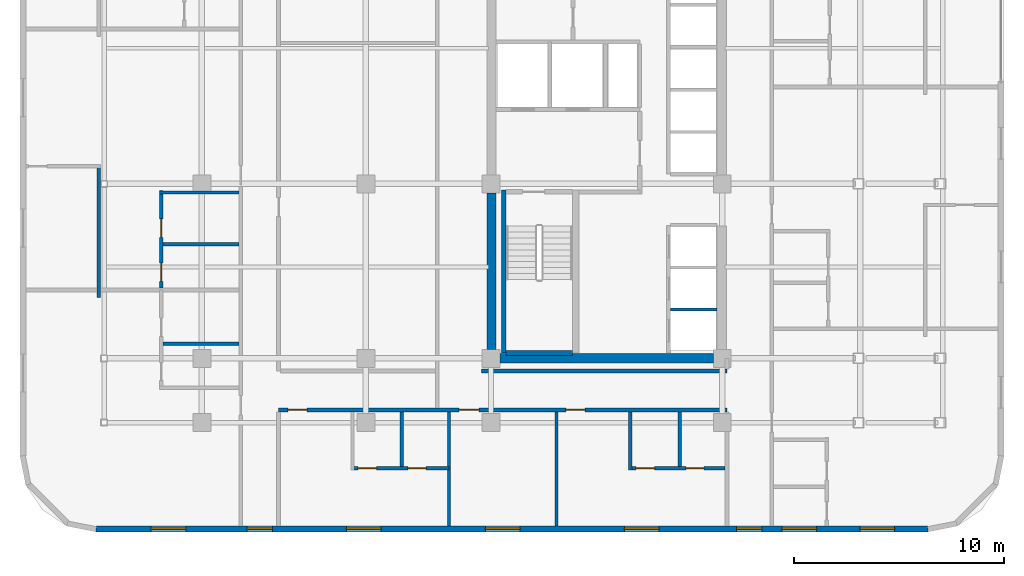
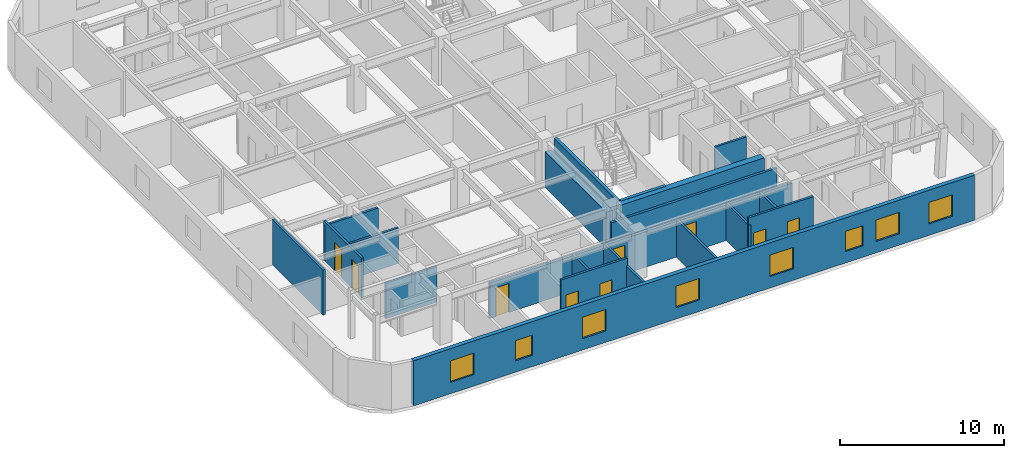
# One storey, part 7 of 13: 20 walls, 9 doors, 8 windows, 17 openings.
"""IFC4 building model written with IfcOpenShell, lengths in metres."""

from ifc_helpers import new_model, si_unit, direction, frame, frame_2d, origin, place, context, subcontext, project, spatial, rectangle, extrude, material, layer, layer_set, type_object, element, fill, save


model = new_model("IFC4")

# Units and contexts
model_context = context("Model", 3, precision=1e-05, world=origin(), true_north=direction((0.0, 1.0)))
body_context = subcontext(model_context, "Body", "Model", "MODEL_VIEW")
ifc_project = project(units=[si_unit("LENGTHUNIT", "METRE"), si_unit("AREAUNIT", "SQUARE_METRE"), si_unit("VOLUMEUNIT", "CUBIC_METRE"), si_unit("PLANEANGLEUNIT", "RADIAN"), si_unit("MASSUNIT", "GRAM", prefix="KILO")], contexts=[model_context])

# Site, building, storey
site_placement = place(None, origin())
site = spatial("IfcSite", under=ifc_project, at=site_placement, CompositionType="ELEMENT")
building_placement = place(site_placement, origin())
building = spatial("IfcBuilding", under=site, at=building_placement, Name="Ochreholt Gables", CompositionType="ELEMENT")
storey_placement = place(building_placement, frame((0.0, 0.0, 49.199951171875)))
storey = spatial("IfcBuildingStorey", under=building, at=storey_placement, Name="L12", CompositionType="ELEMENT", Elevation=49.199951171875)

# Walls
ifc_material_1 = material(Name="Concrete 60 MPa", Category="concrete")
ifc_layer_1 = layer(ifc_material_1, 0.449951171875, Name="Concrete 60 MPa")
ifc_layer_set_1 = layer_set([ifc_layer_1], Name="Concrete 60 MPa")
wall_type_1 = type_object("IfcWallType", Name="WALL-CSW-450", PredefinedType="SHEAR", material=ifc_layer_set_1)
wall_1_placement = place(storey_placement, frame((24.22509765625, 9.675048828125, 0.0), z_axis=(0.0, 0.0, 1.0), x_axis=(0.0, 1.0, 0.0)))
element("IfcWall", 1, at=wall_1_placement, inside=storey, type_object=wall_type_1, Name="L12 Core West Shear Wall WS", PredefinedType="SHEAR", context=body_context, shape_type="SweptSolid", body=[
    extrude(rectangle(XDim=7.449951171875, YDim=0.449951171875, at=frame_2d((3.72509765625, 0.0))), origin(), (0.0, 0.0, 1.0), 2.6669921875),
])
wall_2_placement = place(storey_placement, frame((24.625, 9.25, 0.0), z_axis=(0.0, 0.0, 1.0), x_axis=(1.0, 0.0, 0.0)))
element("IfcWall", 2, at=wall_2_placement, inside=storey, type_object=wall_type_1, Name="L12 Core South Shear Wall", PredefinedType="SHEAR", context=body_context, shape_type="SweptSolid", body=[
    extrude(rectangle(XDim=10.14990234375, YDim=0.449951171875, at=frame_2d((5.074951171875, 0.0))), origin(), (0.0, 0.0, 1.0), 3.360107421875),
])

# Wall, openings, windows
ifc_material_2 = material(Name="Precast concrete 40 MPa", Category="concrete")
ifc_layer_2 = layer(ifc_material_2, 0.2900390625, Name="Precast concrete 40 MPa")
ifc_layer_set_2 = layer_set([ifc_layer_2], Name="Precast concrete 40 MPa")
wall_type_2 = type_object("IfcWallType", Name="WALL-EXT-290", PredefinedType="SOLIDWALL", material=ifc_layer_set_2)
wall_3_placement = place(storey_placement, frame((5.419921875, 1.14501953125, 0.0), z_axis=(0.0, 0.0, 1.0), x_axis=(1.0, 0.0, 0.0)))
wall_3 = element("IfcWall", 3, at=wall_3_placement, inside=storey, type_object=wall_type_2, Name="L12 South Exterior Wall", PredefinedType="SOLIDWALL", context=body_context, shape_type="SweptSolid", body=[
    extrude(rectangle(XDim=39.56005859375, YDim=0.2900390625, at=frame_2d((19.780029296875, 0.0))), origin(), (0.0, 0.0, 1.0), 3.360107421875),
])
opening_1_placement = place(wall_3_placement, frame((2.614990234375, 0.0, 0.85009765625)))
opening_1 = element("IfcOpeningElement", 4, at=opening_1_placement, cuts=wall_3, Name="Opening WN-7", PredefinedType="OPENING", context=body_context, shape_type="SweptSolid", body=[
    extrude(rectangle(XDim=1.64990234375, YDim=1.60009765625, at=frame_2d((0.824951171875, 0.800048828125))), frame((0.0, 0.155029296875, 0.0), z_axis=(0.0, -1.0, 0.0), x_axis=(1.0, 0.0, 0.0)), (0.0, 0.0, 1.0), 0.31005859375),
])
opening_2_placement = place(wall_3_placement, frame((7.179931640625, 0.0, 0.85009765625)))
opening_2 = element("IfcOpeningElement", 5, at=opening_2_placement, cuts=wall_3, Name="Opening WN-3", PredefinedType="OPENING", context=body_context, shape_type="SweptSolid", body=[
    extrude(rectangle(XDim=1.199951171875, YDim=1.5, at=frame_2d((0.60009765625, 0.75))), frame((0.0, 0.155029296875, 0.0), z_axis=(0.0, -1.0, 0.0), x_axis=(1.0, 0.0, 0.0)), (0.0, 0.0, 1.0), 0.31005859375),
])
opening_3_placement = place(wall_3_placement, frame((11.90576171875, 0.0, 0.85009765625)))
opening_3 = element("IfcOpeningElement", 6, at=opening_3_placement, cuts=wall_3, Name="Opening WN-7", PredefinedType="OPENING", context=body_context, shape_type="SweptSolid", body=[
    extrude(rectangle(XDim=1.64990234375, YDim=1.60009765625, at=frame_2d((0.824951171875, 0.800048828125))), frame((0.0, 0.155029296875, 0.0), z_axis=(0.0, -1.0, 0.0), x_axis=(1.0, 0.0, 0.0)), (0.0, 0.0, 1.0), 0.31005859375),
])
opening_4_placement = place(wall_3_placement, frame((18.514892578125, 0.0, 0.85009765625)))
opening_4 = element("IfcOpeningElement", 7, at=opening_4_placement, cuts=wall_3, Name="Opening WN-7", PredefinedType="OPENING", context=body_context, shape_type="SweptSolid", body=[
    extrude(rectangle(XDim=1.64990234375, YDim=1.60009765625, at=frame_2d((0.824951171875, 0.800048828125))), frame((0.0, 0.155029296875, 0.0), z_axis=(0.0, -1.0, 0.0), x_axis=(1.0, 0.0, 0.0)), (0.0, 0.0, 1.0), 0.31005859375),
])
opening_5_placement = place(wall_3_placement, frame((25.124267578125, 0.0, 0.85009765625)))
opening_5 = element("IfcOpeningElement", 8, at=opening_5_placement, cuts=wall_3, Name="Opening WN-7", PredefinedType="OPENING", context=body_context, shape_type="SweptSolid", body=[
    extrude(rectangle(XDim=1.64990234375, YDim=1.60009765625, at=frame_2d((0.824951171875, 0.800048828125))), frame((0.0, 0.155029296875, 0.0), z_axis=(0.0, -1.0, 0.0), x_axis=(1.0, 0.0, 0.0)), (0.0, 0.0, 1.0), 0.31005859375),
])
opening_6_placement = place(wall_3_placement, frame((30.465087890625, 0.0, 0.85009765625)))
opening_6 = element("IfcOpeningElement", 9, at=opening_6_placement, cuts=wall_3, Name="Opening WN-3", PredefinedType="OPENING", context=body_context, shape_type="SweptSolid", body=[
    extrude(rectangle(XDim=1.199951171875, YDim=1.5, at=frame_2d((0.60009765625, 0.75))), frame((0.0, 0.155029296875, 0.0), z_axis=(0.0, -1.0, 0.0), x_axis=(1.0, 0.0, 0.0)), (0.0, 0.0, 1.0), 0.31005859375),
])
opening_7_placement = place(wall_3_placement, frame((32.613037109375, 0.0, 0.85009765625)))
opening_7 = element("IfcOpeningElement", 10, at=opening_7_placement, cuts=wall_3, Name="Opening WN-7", PredefinedType="OPENING", context=body_context, shape_type="SweptSolid", body=[
    extrude(rectangle(XDim=1.64990234375, YDim=1.60009765625, at=frame_2d((0.824951171875, 0.800048828125))), frame((0.0, 0.155029296875, 0.0), z_axis=(0.0, -1.0, 0.0), x_axis=(1.0, 0.0, 0.0)), (0.0, 0.0, 1.0), 0.31005859375),
])
opening_8_placement = place(wall_3_placement, frame((36.327880859375, 0.0, 0.85009765625)))
opening_8 = element("IfcOpeningElement", 11, at=opening_8_placement, cuts=wall_3, Name="Opening WN-7", PredefinedType="OPENING", context=body_context, shape_type="SweptSolid", body=[
    extrude(rectangle(XDim=1.64990234375, YDim=1.60009765625, at=frame_2d((0.824951171875, 0.800048828125))), frame((0.0, 0.155029296875, 0.0), z_axis=(0.0, -1.0, 0.0), x_axis=(1.0, 0.0, 0.0)), (0.0, 0.0, 1.0), 0.31005859375),
])
ifc_material_3 = material(Name="Triple-Glazed Thermally Broken Aluminium Window", Category="aluminium")
window_type_1 = type_object("IfcWindowType", Name="WIN-RES-1200", PartitioningType="SINGLE_PANEL", PredefinedType="WINDOW", material=ifc_material_3)
window_1_placement = place(opening_2_placement, origin())
window_1 = element("IfcWindow", 12, at=window_1_placement, inside=storey, type_object=window_type_1, Name="L12 Window W-EXT-S-L12-2", OverallHeight=1.5, OverallWidth=1.199951171875, PartitioningType="SINGLE_PANEL", PredefinedType="WINDOW", context=body_context, shape_type="SweptSolid", body=[
    extrude(rectangle(XDim=1.199951171875, YDim=1.5, at=frame_2d((0.60009765625, 0.75))), frame((0.0, 0.030029296875, 0.0), z_axis=(0.0, -1.0, 0.0), x_axis=(1.0, 0.0, 0.0)), (0.0, 0.0, 1.0), 0.06005859375),
])
fill(opening_2, window_1)
window_2_placement = place(opening_6_placement, origin())
window_2 = element("IfcWindow", 13, at=window_2_placement, inside=storey, type_object=window_type_1, Name="L12 Window W-EXT-S-L12-6", OverallHeight=1.5, OverallWidth=1.199951171875, PartitioningType="SINGLE_PANEL", PredefinedType="WINDOW", context=body_context, shape_type="SweptSolid", body=[
    extrude(rectangle(XDim=1.199951171875, YDim=1.5, at=frame_2d((0.60009765625, 0.75))), frame((0.0, 0.030029296875, 0.0), z_axis=(0.0, -1.0, 0.0), x_axis=(1.0, 0.0, 0.0)), (0.0, 0.0, 1.0), 0.06005859375),
])
fill(opening_6, window_2)
window_type_2 = type_object("IfcWindowType", Name="WIN-RES-1650", PartitioningType="SINGLE_PANEL", PredefinedType="WINDOW", material=ifc_material_3)
window_3_placement = place(opening_1_placement, origin())
window_3 = element("IfcWindow", 14, at=window_3_placement, inside=storey, type_object=window_type_2, Name="L12 Window W-EXT-S-L12-1", OverallHeight=1.60009765625, OverallWidth=1.64990234375, PartitioningType="SINGLE_PANEL", PredefinedType="WINDOW", context=body_context, shape_type="SweptSolid", body=[
    extrude(rectangle(XDim=1.64990234375, YDim=1.60009765625, at=frame_2d((0.824951171875, 0.800048828125))), frame((0.0, 0.030029296875, 0.0), z_axis=(0.0, -1.0, 0.0), x_axis=(1.0, 0.0, 0.0)), (0.0, 0.0, 1.0), 0.06005859375),
])
fill(opening_1, window_3)
window_4_placement = place(opening_3_placement, origin())
window_4 = element("IfcWindow", 15, at=window_4_placement, inside=storey, type_object=window_type_2, Name="L12 Window W-EXT-S-L12-3", OverallHeight=1.60009765625, OverallWidth=1.64990234375, PartitioningType="SINGLE_PANEL", PredefinedType="WINDOW", context=body_context, shape_type="SweptSolid", body=[
    extrude(rectangle(XDim=1.64990234375, YDim=1.60009765625, at=frame_2d((0.824951171875, 0.800048828125))), frame((0.0, 0.030029296875, 0.0), z_axis=(0.0, -1.0, 0.0), x_axis=(1.0, 0.0, 0.0)), (0.0, 0.0, 1.0), 0.06005859375),
])
fill(opening_3, window_4)
window_5_placement = place(opening_4_placement, origin())
window_5 = element("IfcWindow", 16, at=window_5_placement, inside=storey, type_object=window_type_2, Name="L12 Window W-EXT-S-L12-4", OverallHeight=1.60009765625, OverallWidth=1.64990234375, PartitioningType="SINGLE_PANEL", PredefinedType="WINDOW", context=body_context, shape_type="SweptSolid", body=[
    extrude(rectangle(XDim=1.64990234375, YDim=1.60009765625, at=frame_2d((0.824951171875, 0.800048828125))), frame((0.0, 0.030029296875, 0.0), z_axis=(0.0, -1.0, 0.0), x_axis=(1.0, 0.0, 0.0)), (0.0, 0.0, 1.0), 0.06005859375),
])
fill(opening_4, window_5)
window_6_placement = place(opening_5_placement, origin())
window_6 = element("IfcWindow", 17, at=window_6_placement, inside=storey, type_object=window_type_2, Name="L12 Window W-EXT-S-L12-5", OverallHeight=1.60009765625, OverallWidth=1.64990234375, PartitioningType="SINGLE_PANEL", PredefinedType="WINDOW", context=body_context, shape_type="SweptSolid", body=[
    extrude(rectangle(XDim=1.64990234375, YDim=1.60009765625, at=frame_2d((0.824951171875, 0.800048828125))), frame((0.0, 0.030029296875, 0.0), z_axis=(0.0, -1.0, 0.0), x_axis=(1.0, 0.0, 0.0)), (0.0, 0.0, 1.0), 0.06005859375),
])
fill(opening_5, window_6)
window_7_placement = place(opening_7_placement, origin())
window_7 = element("IfcWindow", 18, at=window_7_placement, inside=storey, type_object=window_type_2, Name="L12 Window W-EXT-S-L12-7", OverallHeight=1.60009765625, OverallWidth=1.64990234375, PartitioningType="SINGLE_PANEL", PredefinedType="WINDOW", context=body_context, shape_type="SweptSolid", body=[
    extrude(rectangle(XDim=1.64990234375, YDim=1.60009765625, at=frame_2d((0.824951171875, 0.800048828125))), frame((0.0, 0.030029296875, 0.0), z_axis=(0.0, -1.0, 0.0), x_axis=(1.0, 0.0, 0.0)), (0.0, 0.0, 1.0), 0.06005859375),
])
fill(opening_7, window_7)
window_8_placement = place(opening_8_placement, origin())
window_8 = element("IfcWindow", 19, at=window_8_placement, inside=storey, type_object=window_type_2, Name="L12 Window W-EXT-S-L12-8", OverallHeight=1.60009765625, OverallWidth=1.64990234375, PartitioningType="SINGLE_PANEL", PredefinedType="WINDOW", context=body_context, shape_type="SweptSolid", body=[
    extrude(rectangle(XDim=1.64990234375, YDim=1.60009765625, at=frame_2d((0.824951171875, 0.800048828125))), frame((0.0, 0.030029296875, 0.0), z_axis=(0.0, -1.0, 0.0), x_axis=(1.0, 0.0, 0.0)), (0.0, 0.0, 1.0), 0.06005859375),
])
fill(opening_8, window_8)

# Wall, openings, doors
ifc_material_4 = material(Name="Fire-Rated Gypsum Acoustic Partition", Category="gypsum")
ifc_layer_3 = layer(ifc_material_4, 0.179931640625, Name="Fire-Rated Gypsum Acoustic Partition")
ifc_layer_set_3 = layer_set([ifc_layer_3], Name="Fire-Rated Gypsum Acoustic Partition")
wall_type_3 = type_object("IfcWallType", Name="WALL-INT-CR180", PredefinedType="STANDARD", material=ifc_layer_set_3)
wall_4_placement = place(storey_placement, frame((14.10009765625, 6.800048828125, 0.0), z_axis=(0.0, 0.0, 1.0), x_axis=(1.0, 0.0, 0.0)))
wall_4 = element("IfcWall", 20, at=wall_4_placement, inside=storey, type_object=wall_type_3, Name="L12 Interior Wall WI-C1S-L12", PredefinedType="STANDARD", context=body_context, shape_type="SweptSolid", body=[
    extrude(rectangle(XDim=21.31982421875, YDim=0.179931640625, at=frame_2d((10.659912109375, 0.0))), origin(), (0.0, 0.0, 1.0), 2.649169921875),
])
opening_9_placement = place(wall_4_placement, frame((0.43994140625, 0.0, 0.0)))
opening_9 = element("IfcOpeningElement", 21, at=opening_9_placement, cuts=wall_4, Name="Opening D-UN1", PredefinedType="OPENING", context=body_context, shape_type="SweptSolid", body=[
    extrude(rectangle(XDim=0.919921875, YDim=2.14990234375, at=frame_2d((0.4599609375, 1.074951171875))), frame((0.0, 0.099853515625, 0.0), z_axis=(0.0, -1.0, 0.0), x_axis=(1.0, 0.0, 0.0)), (0.0, 0.0, 1.0), 0.199951171875),
])
opening_10_placement = place(wall_4_placement, frame((8.58154296875, 0.0, 0.0)))
opening_10 = element("IfcOpeningElement", 22, at=opening_10_placement, cuts=wall_4, Name="Opening D-GN1", PredefinedType="OPENING", context=body_context, shape_type="SweptSolid", body=[
    extrude(rectangle(XDim=0.949951171875, YDim=2.14990234375, at=frame_2d((0.47509765625, 1.074951171875))), frame((0.0, 0.099853515625, 0.0), z_axis=(0.0, -1.0, 0.0), x_axis=(1.0, 0.0, 0.0)), (0.0, 0.0, 1.0), 0.199951171875),
])
opening_11_placement = place(wall_4_placement, frame((13.658447265625, 0.0, 0.0)))
opening_11 = element("IfcOpeningElement", 23, at=opening_11_placement, cuts=wall_4, Name="Opening D-UN1", PredefinedType="OPENING", context=body_context, shape_type="SweptSolid", body=[
    extrude(rectangle(XDim=0.919921875, YDim=2.14990234375, at=frame_2d((0.4599609375, 1.074951171875))), frame((0.0, 0.099853515625, 0.0), z_axis=(0.0, -1.0, 0.0), x_axis=(1.0, 0.0, 0.0)), (0.0, 0.0, 1.0), 0.199951171875),
])
ifc_material_5 = material(Name="Engineered Oak Timber", Category="wood")
door_type_1 = type_object("IfcDoorType", Name="DR-INT-GEN950", OperationType="NOTDEFINED", PredefinedType="DOOR", material=ifc_material_5)
door_1_placement = place(opening_10_placement, origin())
door_1 = element("IfcDoor", 24, at=door_1_placement, inside=storey, type_object=door_type_1, Name="L12 Door D-C1S3-L12", OperationType="SINGLE_SWING_LEFT", OverallHeight=2.14990234375, OverallWidth=0.949951171875, PredefinedType="DOOR", context=body_context, shape_type="SweptSolid", body=[
    extrude(rectangle(XDim=0.949951171875, YDim=2.14990234375, at=frame_2d((0.47509765625, 1.074951171875))), frame((0.0, 0.02490234375, 0.0), z_axis=(0.0, -1.0, 0.0), x_axis=(1.0, 0.0, 0.0)), (0.0, 0.0, 1.0), 0.050048828125),
])
fill(opening_10, door_1)
door_type_2 = type_object("IfcDoorType", Name="DR-INT-UNT920", OperationType="NOTDEFINED", PredefinedType="DOOR", material=ifc_material_5)
door_2_placement = place(opening_9_placement, origin())
door_2 = element("IfcDoor", 25, at=door_2_placement, inside=storey, type_object=door_type_2, Name="L12 Door D-U-L12S1-ENT", OperationType="SINGLE_SWING_LEFT", OverallHeight=2.14990234375, OverallWidth=0.919921875, PredefinedType="DOOR", context=body_context, shape_type="SweptSolid", body=[
    extrude(rectangle(XDim=0.919921875, YDim=2.14990234375, at=frame_2d((0.4599609375, 1.074951171875))), frame((0.0, 0.02490234375, 0.0), z_axis=(0.0, -1.0, 0.0), x_axis=(1.0, 0.0, 0.0)), (0.0, 0.0, 1.0), 0.050048828125),
])
fill(opening_9, door_2)
door_3_placement = place(opening_11_placement, origin())
door_3 = element("IfcDoor", 26, at=door_3_placement, inside=storey, type_object=door_type_2, Name="L12 Door D-U-L12S3-ENT", OperationType="SINGLE_SWING_LEFT", OverallHeight=2.14990234375, OverallWidth=0.919921875, PredefinedType="DOOR", context=body_context, shape_type="SweptSolid", body=[
    extrude(rectangle(XDim=0.919921875, YDim=2.14990234375, at=frame_2d((0.4599609375, 1.074951171875))), frame((0.0, 0.02490234375, 0.0), z_axis=(0.0, -1.0, 0.0), x_axis=(1.0, 0.0, 0.0)), (0.0, 0.0, 1.0), 0.050048828125),
])
fill(opening_11, door_3)

# Walls
wall_5_placement = place(storey_placement, frame((23.75, 8.64990234375, 0.0), z_axis=(0.0, 0.0, 1.0), x_axis=(1.0, 0.0, 0.0)))
element("IfcWall", 27, at=wall_5_placement, inside=storey, type_object=wall_type_3, Name="L12 Interior Wall WI-C1S2-L12", PredefinedType="STANDARD", context=body_context, shape_type="SweptSolid", body=[
    extrude(rectangle(XDim=11.669921875, YDim=0.179931640625, at=frame_2d((5.8349609375, 0.0))), origin(), (0.0, 0.0, 1.0), 2.649169921875),
])
ifc_material_6 = material(Name="Moisture-Resistant Plumbing Chase Wall", Category="gypsum")
ifc_layer_4 = layer(ifc_material_6, 0.159912109375, Name="Moisture-Resistant Plumbing Chase Wall")
ifc_layer_set_4 = layer_set([ifc_layer_4], Name="Moisture-Resistant Plumbing Chase Wall")
wall_type_4 = type_object("IfcWallType", Name="WALL-INT-PL160", PredefinedType="PLUMBINGWALL", material=ifc_layer_set_4)
wall_6_placement = place(storey_placement, frame((8.590087890625, 9.952880859375, 0.0), z_axis=(0.0, 0.0, 1.0), x_axis=(1.0, 0.0, 0.0)))
element("IfcWall", 28, at=wall_6_placement, inside=storey, type_object=wall_type_4, Name="L12 Interior Wall WU-L12W1-WM", PredefinedType="PLUMBINGWALL", context=body_context, shape_type="SweptSolid", body=[
    extrude(rectangle(XDim=3.619873046875, YDim=0.159912109375, at=frame_2d((1.81005859375, 0.0))), origin(), (0.0, 0.0, 1.0), 2.649169921875),
])
wall_7_placement = place(storey_placement, frame((8.429931640625, 17.139892578125, 0.0), z_axis=(0.0, 0.0, 1.0), x_axis=(1.0, 0.0, 0.0)))
element("IfcWall", 29, at=wall_7_placement, inside=storey, type_object=wall_type_4, Name="L12 Interior Wall WU-L12W2-WYN", PredefinedType="PLUMBINGWALL", context=body_context, shape_type="SweptSolid", body=[
    extrude(rectangle(XDim=3.780029296875, YDim=0.159912109375, at=frame_2d((1.89013671875, 0.0))), origin(), (0.0, 0.0, 1.0), 2.649169921875),
])

# Wall, openings, doors
wall_8_placement = place(storey_placement, frame((8.510009765625, 12.590087890625, 0.0), z_axis=(0.0, 0.0, 1.0), x_axis=(0.0, 1.0, 0.0)))
wall_8 = element("IfcWall", 30, at=wall_8_placement, inside=storey, type_object=wall_type_4, Name="L12 Interior Wall WU-L12W2-WX", PredefinedType="PLUMBINGWALL", context=body_context, shape_type="SweptSolid", body=[
    extrude(rectangle(XDim=4.639892578125, YDim=0.159912109375, at=frame_2d((2.31982421875, 0.0))), origin(), (0.0, 0.0, 1.0), 2.93212890625),
])
opening_12_placement = place(wall_8_placement, frame((0.330078125, 0.0, 0.0)))
opening_12 = element("IfcOpeningElement", 31, at=opening_12_placement, cuts=wall_8, Name="Opening D-BT1", PredefinedType="OPENING", context=body_context, shape_type="SweptSolid", body=[
    extrude(rectangle(XDim=0.860107421875, YDim=2.1201171875, at=frame_2d((0.43017578125, 1.06005859375))), frame((0.0, 0.08984375, 0.0), z_axis=(0.0, -1.0, 0.0), x_axis=(1.0, 0.0, 0.0)), (0.0, 0.0, 1.0), 0.179931640625),
])
opening_13_placement = place(wall_8_placement, frame((2.423095703125, 0.0, 0.0)))
opening_13 = element("IfcOpeningElement", 32, at=opening_13_placement, cuts=wall_8, Name="Opening D-GN2", PredefinedType="OPENING", context=body_context, shape_type="SweptSolid", body=[
    extrude(rectangle(XDim=0.8798828125, YDim=2.1201171875, at=frame_2d((0.43994140625, 1.06005859375))), frame((0.0, 0.08984375, 0.0), z_axis=(0.0, -1.0, 0.0), x_axis=(1.0, 0.0, 0.0)), (0.0, 0.0, 1.0), 0.179931640625),
])
door_type_3 = type_object("IfcDoorType", Name="DR-INT-BTH860", OperationType="NOTDEFINED", PredefinedType="DOOR", material=ifc_material_5)
door_4_placement = place(opening_12_placement, origin())
door_4 = element("IfcDoor", 33, at=door_4_placement, inside=storey, type_object=door_type_3, Name="L12 Door D-U-L12W2-BTH", OperationType="SINGLE_SWING_RIGHT", OverallHeight=2.1201171875, OverallWidth=0.860107421875, PredefinedType="DOOR", context=body_context, shape_type="SweptSolid", body=[
    extrude(rectangle(XDim=0.860107421875, YDim=2.1201171875, at=frame_2d((0.43017578125, 1.06005859375))), frame((0.0, 0.02490234375, 0.0), z_axis=(0.0, -1.0, 0.0), x_axis=(1.0, 0.0, 0.0)), (0.0, 0.0, 1.0), 0.050048828125),
])
fill(opening_12, door_4)
door_type_4 = type_object("IfcDoorType", Name="DR-INT-GEN880", OperationType="NOTDEFINED", PredefinedType="DOOR", material=ifc_material_5)
door_5_placement = place(opening_13_placement, origin())
door_5 = element("IfcDoor", 34, at=door_5_placement, inside=storey, type_object=door_type_4, Name="L12 Door D-U-L12W2-KIT", OperationType="SINGLE_SWING_LEFT", OverallHeight=2.1201171875, OverallWidth=0.8798828125, PredefinedType="DOOR", context=body_context, shape_type="SweptSolid", body=[
    extrude(rectangle(XDim=0.8798828125, YDim=2.1201171875, at=frame_2d((0.43994140625, 1.06005859375))), frame((0.0, 0.02490234375, 0.0), z_axis=(0.0, -1.0, 0.0), x_axis=(1.0, 0.0, 0.0)), (0.0, 0.0, 1.0), 0.050048828125),
])
fill(opening_13, door_5)

# Wall
wall_9_placement = place(storey_placement, frame((8.590087890625, 14.68310546875, 0.0), z_axis=(0.0, 0.0, 1.0), x_axis=(1.0, 0.0, 0.0)))
element("IfcWall", 35, at=wall_9_placement, inside=storey, type_object=wall_type_4, Name="L12 Interior Wall WU-L12W2-WM", PredefinedType="PLUMBINGWALL", context=body_context, shape_type="SweptSolid", body=[
    extrude(rectangle(XDim=3.619873046875, YDim=0.159912109375, at=frame_2d((1.81005859375, 0.0))), origin(), (0.0, 0.0, 1.0), 2.649169921875),
])

# Wall, openings, doors
wall_10_placement = place(storey_placement, frame((17.531494140625, 4.030029296875, 0.0), z_axis=(0.0, 0.0, 1.0), x_axis=(1.0, 0.0, 0.0)))
wall_10 = element("IfcWall", 36, at=wall_10_placement, inside=storey, type_object=wall_type_4, Name="L12 Interior Wall WU-L12S1-WY", PredefinedType="PLUMBINGWALL", context=body_context, shape_type="SweptSolid", body=[
    extrude(rectangle(XDim=4.670166015625, YDim=0.159912109375, at=frame_2d((2.3349609375, 0.0))), origin(), (0.0, 0.0, 1.0), 3.360107421875),
])
opening_14_placement = place(wall_10_placement, frame((0.35009765625, 0.0, 0.0)))
opening_14 = element("IfcOpeningElement", 37, at=opening_14_placement, cuts=wall_10, Name="Opening D-GN2", PredefinedType="OPENING", context=body_context, shape_type="SweptSolid", body=[
    extrude(rectangle(XDim=0.8798828125, YDim=2.1201171875, at=frame_2d((0.43994140625, 1.06005859375))), frame((0.0, 0.08984375, 0.0), z_axis=(0.0, -1.0, 0.0), x_axis=(1.0, 0.0, 0.0)), (0.0, 0.0, 1.0), 0.179931640625),
])
opening_15_placement = place(wall_10_placement, frame((2.719970703125, 0.0, 0.0)))
opening_15 = element("IfcOpeningElement", 38, at=opening_15_placement, cuts=wall_10, Name="Opening D-BT1", PredefinedType="OPENING", context=body_context, shape_type="SweptSolid", body=[
    extrude(rectangle(XDim=0.860107421875, YDim=2.1201171875, at=frame_2d((0.43017578125, 1.06005859375))), frame((0.0, 0.08984375, 0.0), z_axis=(0.0, -1.0, 0.0), x_axis=(1.0, 0.0, 0.0)), (0.0, 0.0, 1.0), 0.179931640625),
])
door_6_placement = place(opening_15_placement, origin())
door_6 = element("IfcDoor", 39, at=door_6_placement, inside=storey, type_object=door_type_3, Name="L12 Door D-U-L12S1-BTH", OperationType="SINGLE_SWING_LEFT", OverallHeight=2.1201171875, OverallWidth=0.860107421875, PredefinedType="DOOR", context=body_context, shape_type="SweptSolid", body=[
    extrude(rectangle(XDim=0.860107421875, YDim=2.1201171875, at=frame_2d((0.43017578125, 1.06005859375))), frame((0.0, 0.02490234375, 0.0), z_axis=(0.0, -1.0, 0.0), x_axis=(1.0, 0.0, 0.0)), (0.0, 0.0, 1.0), 0.050048828125),
])
fill(opening_15, door_6)
door_7_placement = place(opening_14_placement, origin())
door_7 = element("IfcDoor", 40, at=door_7_placement, inside=storey, type_object=door_type_4, Name="L12 Door D-U-L12S1-KIT", OperationType="SINGLE_SWING_RIGHT", OverallHeight=2.1201171875, OverallWidth=0.8798828125, PredefinedType="DOOR", context=body_context, shape_type="SweptSolid", body=[
    extrude(rectangle(XDim=0.8798828125, YDim=2.1201171875, at=frame_2d((0.43994140625, 1.06005859375))), frame((0.0, 0.02490234375, 0.0), z_axis=(0.0, -1.0, 0.0), x_axis=(1.0, 0.0, 0.0)), (0.0, 0.0, 1.0), 0.050048828125),
])
fill(opening_14, door_7)

# Wall
wall_11_placement = place(storey_placement, frame((19.95166015625, 4.110107421875, 0.0), z_axis=(0.0, 0.0, 1.0), x_axis=(0.0, 1.0, 0.0)))
element("IfcWall", 41, at=wall_11_placement, inside=storey, type_object=wall_type_4, Name="L12 Interior Wall WU-L12S1-WK", PredefinedType="PLUMBINGWALL", context=body_context, shape_type="SweptSolid", body=[
    extrude(rectangle(XDim=2.599853515625, YDim=0.159912109375, at=frame_2d((1.2998046875, 0.0))), origin(), (0.0, 0.0, 1.0), 2.80908203125),
])

# Wall, openings, doors
wall_12_placement = place(storey_placement, frame((30.75, 4.030029296875, 0.0), z_axis=(0.0, 0.0, 1.0), x_axis=(1.0, 0.0, 0.0)))
wall_12 = element("IfcWall", 42, at=wall_12_placement, inside=storey, type_object=wall_type_4, Name="L12 Interior Wall WU-L12S3-WY", PredefinedType="PLUMBINGWALL", context=body_context, shape_type="SweptSolid", body=[
    extrude(rectangle(XDim=4.580078125, YDim=0.159912109375, at=frame_2d((2.2900390625, 0.0))), origin(), (0.0, 0.0, 1.0), 3.360107421875),
])
opening_16_placement = place(wall_12_placement, frame((0.35009765625, 0.0, 0.0)))
opening_16 = element("IfcOpeningElement", 43, at=opening_16_placement, cuts=wall_12, Name="Opening D-GN2", PredefinedType="OPENING", context=body_context, shape_type="SweptSolid", body=[
    extrude(rectangle(XDim=0.8798828125, YDim=2.1201171875, at=frame_2d((0.43994140625, 1.06005859375))), frame((0.0, 0.08984375, 0.0), z_axis=(0.0, -1.0, 0.0), x_axis=(1.0, 0.0, 0.0)), (0.0, 0.0, 1.0), 0.179931640625),
])
opening_17_placement = place(wall_12_placement, frame((2.719970703125, 0.0, 0.0)))
opening_17 = element("IfcOpeningElement", 44, at=opening_17_placement, cuts=wall_12, Name="Opening D-BT1", PredefinedType="OPENING", context=body_context, shape_type="SweptSolid", body=[
    extrude(rectangle(XDim=0.860107421875, YDim=2.1201171875, at=frame_2d((0.43017578125, 1.06005859375))), frame((0.0, 0.08984375, 0.0), z_axis=(0.0, -1.0, 0.0), x_axis=(1.0, 0.0, 0.0)), (0.0, 0.0, 1.0), 0.179931640625),
])
door_8_placement = place(opening_17_placement, origin())
door_8 = element("IfcDoor", 45, at=door_8_placement, inside=storey, type_object=door_type_3, Name="L12 Door D-U-L12S3-BTH", OperationType="SINGLE_SWING_LEFT", OverallHeight=2.1201171875, OverallWidth=0.860107421875, PredefinedType="DOOR", context=body_context, shape_type="SweptSolid", body=[
    extrude(rectangle(XDim=0.860107421875, YDim=2.1201171875, at=frame_2d((0.43017578125, 1.06005859375))), frame((0.0, 0.02490234375, 0.0), z_axis=(0.0, -1.0, 0.0), x_axis=(1.0, 0.0, 0.0)), (0.0, 0.0, 1.0), 0.050048828125),
])
fill(opening_17, door_8)
door_9_placement = place(opening_16_placement, origin())
door_9 = element("IfcDoor", 46, at=door_9_placement, inside=storey, type_object=door_type_4, Name="L12 Door D-U-L12S3-KIT", OperationType="SINGLE_SWING_RIGHT", OverallHeight=2.1201171875, OverallWidth=0.8798828125, PredefinedType="DOOR", context=body_context, shape_type="SweptSolid", body=[
    extrude(rectangle(XDim=0.8798828125, YDim=2.1201171875, at=frame_2d((0.43994140625, 1.06005859375))), frame((0.0, 0.02490234375, 0.0), z_axis=(0.0, -1.0, 0.0), x_axis=(1.0, 0.0, 0.0)), (0.0, 0.0, 1.0), 0.050048828125),
])
fill(opening_16, door_9)

# Walls
wall_13_placement = place(storey_placement, frame((30.830078125, 3.949951171875, 0.0), z_axis=(0.0, 0.0, 1.0), x_axis=(0.0, 1.0, 0.0)))
element("IfcWall", 47, at=wall_13_placement, inside=storey, type_object=wall_type_4, Name="L12 Interior Wall WU-L12S3-FY", PredefinedType="PLUMBINGWALL", context=body_context, shape_type="SweptSolid", body=[
    extrude(rectangle(XDim=2.760009765625, YDim=0.159912109375, at=frame_2d((1.3798828125, 0.0))), origin(), (0.0, 0.0, 1.0), 2.80908203125),
])
wall_14_placement = place(storey_placement, frame((33.169921875, 4.110107421875, 0.0), z_axis=(0.0, 0.0, 1.0), x_axis=(0.0, 1.0, 0.0)))
element("IfcWall", 48, at=wall_14_placement, inside=storey, type_object=wall_type_4, Name="L12 Interior Wall WU-L12S3-WK", PredefinedType="PLUMBINGWALL", context=body_context, shape_type="SweptSolid", body=[
    extrude(rectangle(XDim=2.599853515625, YDim=0.159912109375, at=frame_2d((1.2998046875, 0.0))), origin(), (0.0, 0.0, 1.0), 2.80908203125),
])
ifc_material_7 = material(Name="Gypsum Acoustic Stud Partition", Category="gypsum")
ifc_layer_5 = layer(ifc_material_7, 0.159912109375, Name="Gypsum Acoustic Stud Partition")
ifc_layer_set_5 = layer_set([ifc_layer_5], Name="Gypsum Acoustic Stud Partition")
wall_type_5 = type_object("IfcWallType", Name="WALL-INT-PT160", PredefinedType="PARTITIONING", material=ifc_layer_set_5)
wall_15_placement = place(storey_placement, frame((5.550048828125, 12.139892578125, 0.0), z_axis=(0.0, 0.0, 1.0), x_axis=(0.0, 1.0, 0.0)))
element("IfcWall", 49, at=wall_15_placement, inside=storey, type_object=wall_type_5, Name="L12 Interior Wall WU-L12W2-STW", PredefinedType="PARTITIONING", context=body_context, shape_type="SweptSolid", body=[
    extrude(rectangle(XDim=6.25, YDim=0.159912109375, at=frame_2d((3.125, 0.0))), origin(), (0.0, 0.0, 1.0), 3.360107421875),
])
for number, where, z_axis, x_axis, name in (
    (50, (22.20166015625, 1.2900390625, 0.0), (0.0, 0.0, 1.0), (0.0, 1.0, 0.0), "L12 Interior Wall WI-UDS2-L12"),
    (51, (27.318359375, 1.2900390625, 0.0), (0.0, 0.0, 1.0), (0.0, 1.0, 0.0), "L12 Interior Wall WI-UDS3-L12"),
):
    element("IfcWall", number, at=place(storey_placement, frame(where, z_axis=z_axis, x_axis=x_axis)), inside=storey, type_object=wall_type_5, Name=name, PredefinedType="PARTITIONING", context=body_context, shape_type="SweptSolid", body=[
        extrude(rectangle(XDim=5.419921875, YDim=0.159912109375, at=frame_2d((2.7099609375, 0.0))), origin(), (0.0, 0.0, 1.0), 2.80908203125),
    ])
ifc_material_8 = material(Name="Gypsum Shaftliner and Steel Stud", Category="steel")
ifc_layer_6 = layer(ifc_material_8, 0.14990234375, Name="Gypsum Shaftliner and Steel Stud")
ifc_layer_set_6 = layer_set([ifc_layer_6], Name="Gypsum Shaftliner and Steel Stud")
wall_type_6 = type_object("IfcWallType", Name="WALL-INT-SH150", PredefinedType="STANDARD", material=ifc_layer_set_6)
wall_16_placement = place(storey_placement, frame((32.739990234375, 11.570068359375, 0.0), z_axis=(0.0, 0.0, 1.0), x_axis=(1.0, 0.0, 0.0)))
element("IfcWall", 52, at=wall_16_placement, inside=storey, type_object=wall_type_6, Name="L12 Interior Wall WI-LFL-D1-L12", PredefinedType="STANDARD", context=body_context, shape_type="SweptSolid", body=[
    extrude(rectangle(XDim=2.2099609375, YDim=0.14990234375, at=frame_2d((1.10498046875, 0.0))), origin(), (0.0, 0.0, 1.0), 3.360107421875),
])
ifc_material_9 = material(Name="Concrete 50 MPa", Category="concrete")
ifc_layer_7 = layer(ifc_material_9, 0.219970703125, Name="Concrete 50 MPa")
ifc_layer_set_7 = layer_set([ifc_layer_7], Name="Concrete 50 MPa")
wall_type_7 = type_object("IfcWallType", Name="WALL-STW-220", PredefinedType="SHEAR", material=ifc_layer_set_7)
wall_17_placement = place(storey_placement, frame((24.81005859375, 9.5, 0.0), z_axis=(0.0, 0.0, 1.0), x_axis=(0.0, 1.0, 0.0)))
element("IfcWall", 53, at=wall_17_placement, inside=storey, type_object=wall_type_7, Name="L12 Exit Stair 1 West Wall", PredefinedType="SHEAR", context=body_context, shape_type="SweptSolid", body=[
    extrude(rectangle(XDim=7.760009765625, YDim=0.219970703125, at=frame_2d((3.8798828125, 0.0))), origin(), (0.0, 0.0, 1.0), 3.360107421875),
])
wall_18_placement = place(storey_placement, frame((24.919921875, 9.510009765625, 0.0), z_axis=(0.0, 0.0, 1.0), x_axis=(1.0, 0.0, 0.0)))
element("IfcWall", 54, at=wall_18_placement, inside=storey, type_object=wall_type_7, Name="L12 Exit Stair 1 South Wall", PredefinedType="SHEAR", context=body_context, shape_type="SweptSolid", body=[
    extrude(rectangle(XDim=3.16015625, YDim=0.219970703125, at=frame_2d((1.580078125, 0.0))), origin(), (0.0, 0.0, 1.0), 3.360107421875),
])

save(model, "model.ifc")
